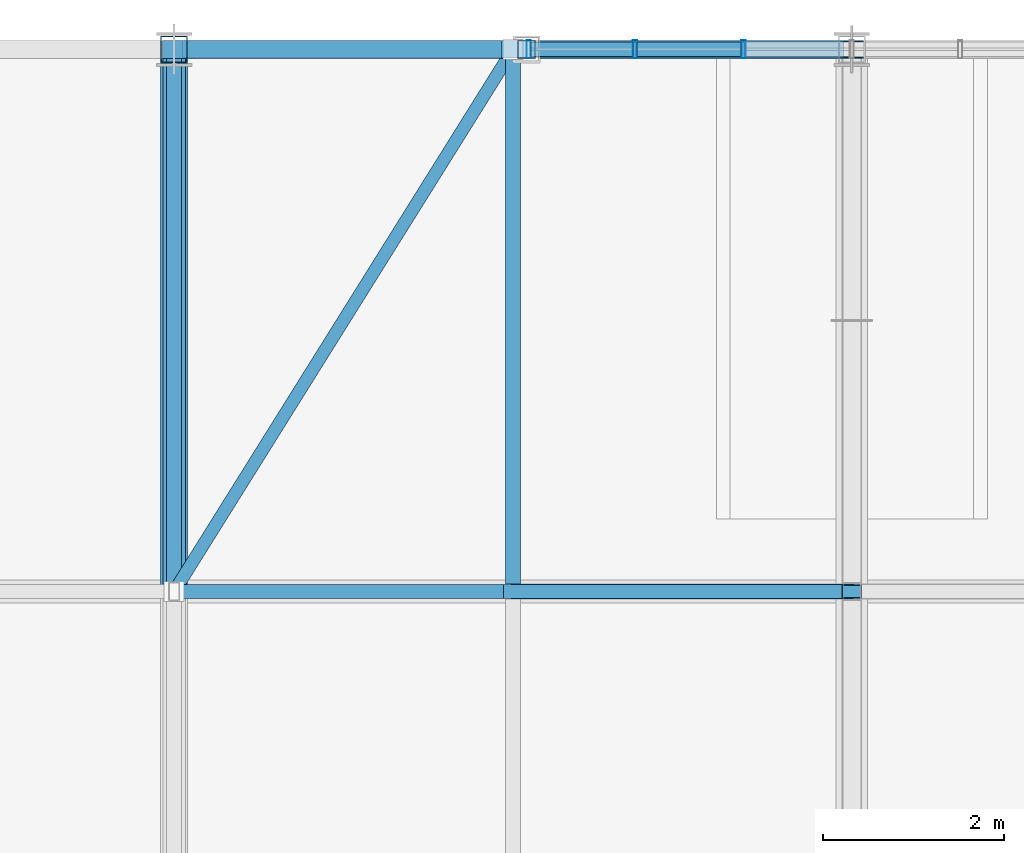
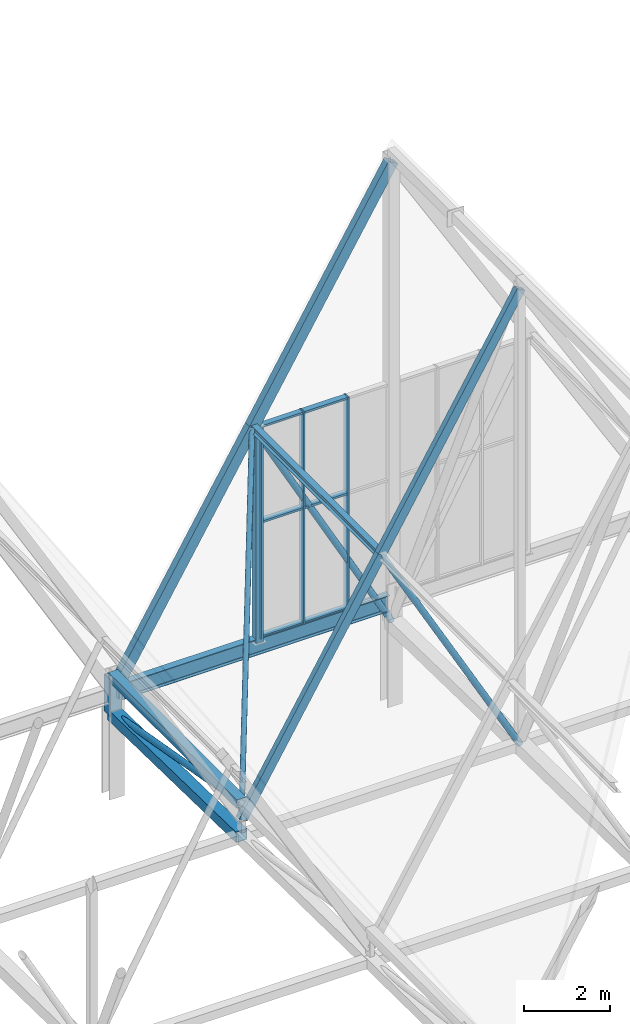
# One storey, part 165 of 324: 21 members, 2 beams, 1 element without a shape of its own.
"""IFC4 building model written with IfcOpenShell, lengths in metres."""

from ifc_helpers import new_model, si_unit, direction, frame, origin, origin_2d, place, context, subcontext, project, spatial, hollow_rectangle, hollow_circle, i_section, extrude, material, layer, layer_set, material_profile, profile_set, type_object, element, aggregate, save


model = new_model("IFC4")

# Units and contexts
model_context = context("Model", 3, precision=1e-05, world=origin(), true_north=direction((0.0, 1.0)))
body_context = subcontext(model_context, "Body", "Model", "MODEL_VIEW")
ifc_project = project(units=[si_unit("LENGTHUNIT", "METRE"), si_unit("AREAUNIT", "SQUARE_METRE"), si_unit("VOLUMEUNIT", "CUBIC_METRE"), si_unit("PLANEANGLEUNIT", "RADIAN"), si_unit("MASSUNIT", "GRAM", prefix="KILO")], contexts=[model_context])

# Site, building, storey
site_placement = place(None, origin())
site = spatial("IfcSite", under=ifc_project, at=site_placement, CompositionType="ELEMENT")
building_placement = place(site_placement, origin())
building = spatial("IfcBuilding", under=site, at=building_placement, Name="Solvenia Promenade Tram Depot", CompositionType="ELEMENT")
storey_placement = place(building_placement, frame((0.0, 0.0, 4.5)))
storey = spatial("IfcBuildingStorey", under=building, at=storey_placement, Name="L01", CompositionType="ELEMENT", Elevation=4.5)

# Curtain wall, members
ifc_material_1 = material(Name="Anodized aluminium AW-6063 T6", Category="aluminium")
ifc_layer = layer(ifc_material_1, 0.14990234375, Name="Anodized aluminium AW-6063 T6", Category="aluminium")
ifc_layer_set = layer_set([ifc_layer], Name="Anodized aluminium AW-6063 T6")
curtain_wall_type = type_object("IfcCurtainWallType", Name="CW-Gable-1200", PredefinedType="NOTDEFINED", material=ifc_layer_set)
curtain_wall_placement = place(storey_placement, origin())
curtain_wall = element("IfcCurtainWall", 1, at=curtain_wall_placement, inside=storey, type_object=curtain_wall_type, Name="North Zigzag Gable 08 Peak Glazing", PredefinedType="NOTDEFINED")
ifc_material_profile_1 = material_profile(ifc_material_1, hollow_rectangle(XDim=0.199951171875, YDim=0.048095703125, WallThickness=0.00390625, at=origin_2d()), Name="ALU-M3", Category="aluminium")
ifc_profile_set_1 = profile_set([ifc_material_profile_1], Name="Anodized aluminium AW-6063 T6")
member_type_1 = type_object("IfcMemberType", Name="CWM-Mullion-3", PredefinedType="MULLION", material=ifc_profile_set_1)
member_1_placement = place(storey_placement, frame((108.924072265625, 126.0, 3.10009765625), z_axis=(0.0, 0.0, 1.0), x_axis=(0.0, 1.0, 0.0)))
member_1 = element("IfcMember", 2, at=member_1_placement, type_object=member_type_1, Name="CW-3 mullion 1", PredefinedType="MULLION", context=body_context, shape_type="SweptSolid", body=[
    extrude(hollow_rectangle(XDim=0.199951171875, YDim=0.048095703125, WallThickness=0.00390625, at=origin_2d()), origin(), (0.0, 0.0, 1.0), 6.0498046875),
])
member_2_placement = place(storey_placement, frame((110.10009765625, 126.0, 3.10009765625), z_axis=(0.0, 0.0, 1.0), x_axis=(0.0, 1.0, 0.0)))
member_2 = element("IfcMember", 3, at=member_2_placement, type_object=member_type_1, Name="CW-3 mullion 2", PredefinedType="MULLION", context=body_context, shape_type="SweptSolid", body=[
    extrude(hollow_rectangle(XDim=0.199951171875, YDim=0.048095703125, WallThickness=0.00390625, at=origin_2d()), origin(), (0.0, 0.0, 1.0), 6.0498046875),
])
member_3_placement = place(storey_placement, frame((111.300048828125, 126.0, 3.10009765625), z_axis=(0.0, 0.0, 1.0), x_axis=(0.0, 1.0, 0.0)))
member_3 = element("IfcMember", 4, at=member_3_placement, type_object=member_type_1, Name="CW-3 mullion 3", PredefinedType="MULLION", context=body_context, shape_type="SweptSolid", body=[
    extrude(hollow_rectangle(XDim=0.199951171875, YDim=0.048095703125, WallThickness=0.00390625, at=origin_2d()), origin(), (0.0, 0.0, 1.0), 6.0498046875),
])
ifc_material_profile_2 = material_profile(ifc_material_1, hollow_rectangle(XDim=0.159912109375, YDim=0.05810546875, WallThickness=0.00390625, at=origin_2d()), Name="ALU-T3", Category="aluminium")
ifc_profile_set_2 = profile_set([ifc_material_profile_2], Name="Anodized aluminium AW-6063 T6")
member_type_2 = type_object("IfcMemberType", Name="CWT-Transom-3", PredefinedType="USERDEFINED", material=ifc_profile_set_2)
member_4_placement = place(storey_placement, frame((108.947998046875, 126.0, 3.12890625), z_axis=(1.0, 0.0, 0.0), x_axis=(0.0, 1.0, 0.0)))
member_4 = element("IfcMember", 5, at=member_4_placement, type_object=member_type_2, Name="CW-3 transom 1.1", ObjectType="TRANSOM", PredefinedType="USERDEFINED", context=body_context, shape_type="SweptSolid", body=[
    extrude(hollow_rectangle(XDim=0.159912109375, YDim=0.05810546875, WallThickness=0.00390625, at=origin_2d()), origin(), (0.0, 0.0, 1.0), 1.1279296875),
])
member_5_placement = place(storey_placement, frame((108.947998046875, 126.0, 6.39990234375), z_axis=(1.0, 0.0, 0.0), x_axis=(0.0, 1.0, 0.0)))
member_5 = element("IfcMember", 6, at=member_5_placement, type_object=member_type_2, Name="CW-3 transom 1.2", ObjectType="TRANSOM", PredefinedType="USERDEFINED", context=body_context, shape_type="SweptSolid", body=[
    extrude(hollow_rectangle(XDim=0.159912109375, YDim=0.05810546875, WallThickness=0.00390625, at=origin_2d()), origin(), (0.0, 0.0, 1.0), 1.1279296875),
])
member_6_placement = place(storey_placement, frame((108.947998046875, 126.0, 9.12109375), z_axis=(1.0, 0.0, 0.0), x_axis=(0.0, 1.0, 0.0)))
member_6 = element("IfcMember", 7, at=member_6_placement, type_object=member_type_2, Name="CW-3 transom 1.3", ObjectType="TRANSOM", PredefinedType="USERDEFINED", context=body_context, shape_type="SweptSolid", body=[
    extrude(hollow_rectangle(XDim=0.159912109375, YDim=0.05810546875, WallThickness=0.00390625, at=origin_2d()), origin(), (0.0, 0.0, 1.0), 1.1279296875),
])
member_7_placement = place(storey_placement, frame((110.1240234375, 126.0, 3.12890625), z_axis=(1.0, 0.0, 0.0), x_axis=(0.0, 1.0, 0.0)))
member_7 = element("IfcMember", 8, at=member_7_placement, type_object=member_type_2, Name="CW-3 transom 2.1", ObjectType="TRANSOM", PredefinedType="USERDEFINED", context=body_context, shape_type="SweptSolid", body=[
    extrude(hollow_rectangle(XDim=0.159912109375, YDim=0.05810546875, WallThickness=0.00390625, at=origin_2d()), origin(), (0.0, 0.0, 1.0), 1.15185546875),
])
member_8_placement = place(storey_placement, frame((110.1240234375, 126.0, 6.39990234375), z_axis=(1.0, 0.0, 0.0), x_axis=(0.0, 1.0, 0.0)))
member_8 = element("IfcMember", 9, at=member_8_placement, type_object=member_type_2, Name="CW-3 transom 2.2", ObjectType="TRANSOM", PredefinedType="USERDEFINED", context=body_context, shape_type="SweptSolid", body=[
    extrude(hollow_rectangle(XDim=0.159912109375, YDim=0.05810546875, WallThickness=0.00390625, at=origin_2d()), origin(), (0.0, 0.0, 1.0), 1.15185546875),
])
member_9_placement = place(storey_placement, frame((110.1240234375, 126.0, 9.12109375), z_axis=(1.0, 0.0, 0.0), x_axis=(0.0, 1.0, 0.0)))
member_9 = element("IfcMember", 10, at=member_9_placement, type_object=member_type_2, Name="CW-3 transom 2.3", ObjectType="TRANSOM", PredefinedType="USERDEFINED", context=body_context, shape_type="SweptSolid", body=[
    extrude(hollow_rectangle(XDim=0.159912109375, YDim=0.05810546875, WallThickness=0.00390625, at=origin_2d()), origin(), (0.0, 0.0, 1.0), 1.15185546875),
])
aggregate(curtain_wall, [member_1, member_2, member_3, member_4, member_5, member_6, member_7, member_8, member_9])

# Members
ifc_material_2 = material(Name="Structural steel ASTM A500 Gr. C", Category="steel")
ifc_material_profile_3 = material_profile(ifc_material_2, hollow_rectangle(XDim=0.14990234375, YDim=0.25, WallThickness=0.010009765625, at=origin_2d()), Name="HSS250x150x10", Category="steel")
ifc_profile_set_3 = profile_set([ifc_material_profile_3], Name="Structural steel ASTM A500 Gr. C")
member_type_3 = type_object("IfcMemberType", Name="Chord-HSS250x150x10", PredefinedType="CHORD", material=ifc_profile_set_3)
for number, where, z_axis, x_axis, name in (
    (11, (105.0, 120.0, 2.93017578125), (0.514584433357, 0.0, 0.857439712718), (0.0, 1.0, 0.0), "Zigzag Gable 08 West Lower Rafter"),
    (12, (108.75, 120.0, 9.1787109375), (0.514584433357, 0.0, 0.857439712718), (0.0, 1.0, 0.0), "Zigzag Gable 08 West Upper Rafter"),
):
    element("IfcMember", number, at=place(storey_placement, frame(where, z_axis=z_axis, x_axis=x_axis)), inside=storey, type_object=member_type_3, Name=name, PredefinedType="CHORD", context=body_context, shape_type="SweptSolid", body=[
        extrude(hollow_rectangle(XDim=0.14990234375, YDim=0.25, WallThickness=0.010009765625, at=origin_2d()), origin(), (0.0, 0.0, 1.0), 7.287353515625),
    ])
ifc_material_profile_4 = material_profile(ifc_material_2, hollow_rectangle(XDim=0.25, YDim=0.25, WallThickness=0.010009765625, at=origin_2d()), Name="HSS250x250x10", Category="steel")
ifc_profile_set_4 = profile_set([ifc_material_profile_4], Name="Structural steel ASTM A500 Gr. C")
member_type_4 = type_object("IfcMemberType", Name="Chord-HSS250x250x10", PredefinedType="CHORD", material=ifc_profile_set_4)
member_10_placement = place(storey_placement, frame((105.0, 120.0, 3.3798828125), z_axis=(0.0, 1.0, 0.0), x_axis=(-1.0, 0.0, 0.0)))
element("IfcMember", 13, at=member_10_placement, inside=storey, type_object=member_type_4, Name="Arched Truss T15 Upper Chord S10", PredefinedType="CHORD", context=body_context, shape_type="SweptSolid", body=[
    extrude(hollow_rectangle(XDim=0.25, YDim=0.25, WallThickness=0.010009765625, at=origin_2d()), origin(), (0.0, 0.0, 1.0), 6.0),
])
ifc_material_profile_5 = material_profile(ifc_material_2, hollow_rectangle(XDim=0.199951171875, YDim=0.300048828125, WallThickness=0.012451171875, at=origin_2d()), Name="HSS300x200x12.5", Category="steel")
ifc_profile_set_5 = profile_set([ifc_material_profile_5], Name="Structural steel ASTM A500 Gr. C")
member_type_5 = type_object("IfcMemberType", Name="Chord-HSS300x200x12", PredefinedType="CHORD", material=ifc_profile_set_5)
for number, where, z_axis, x_axis, name in (
    (14, (105.0, 126.0, 2.93017578125), (0.514584433357, 0.0, 0.857439712718), (0.0, 1.0, 0.0), "Zigzag Gable 08 West Lower Rafter"),
    (15, (108.75, 126.0, 9.1787109375), (0.514584433357, 0.0, 0.857439712718), (0.0, 1.0, 0.0), "Zigzag Gable 08 West Upper Rafter"),
):
    element("IfcMember", number, at=place(storey_placement, frame(where, z_axis=z_axis, x_axis=x_axis)), inside=storey, type_object=member_type_5, Name=name, PredefinedType="CHORD", context=body_context, shape_type="SweptSolid", body=[
        extrude(hollow_rectangle(XDim=0.199951171875, YDim=0.300048828125, WallThickness=0.012451171875, at=origin_2d()), origin(), (0.0, 0.0, 1.0), 7.287353515625),
    ])
ifc_material_profile_6 = material_profile(ifc_material_2, hollow_rectangle(XDim=0.300048828125, YDim=0.300048828125, WallThickness=0.012451171875, at=origin_2d()), Name="HSS300x300x12.5", Category="steel")
ifc_profile_set_6 = profile_set([ifc_material_profile_6], Name="Structural steel ASTM A500 Gr. C")
member_type_6 = type_object("IfcMemberType", Name="Chord-HSS300x300x12", PredefinedType="CHORD", material=ifc_profile_set_6)
member_11_placement = place(storey_placement, frame((105.0, 126.0, 2.320068359375), z_axis=(0.0, 0.0, 1.0), x_axis=(1.0, 0.0, 0.0)))
element("IfcMember", 16, at=member_11_placement, inside=storey, type_object=member_type_6, Name="Arched Truss T15 N End Post", PredefinedType="CHORD", context=body_context, shape_type="SweptSolid", body=[
    extrude(hollow_rectangle(XDim=0.300048828125, YDim=0.300048828125, WallThickness=0.012451171875, at=origin_2d()), origin(), (0.0, 0.0, 1.0), 1.059814453125),
])
member_12_placement = place(storey_placement, frame((105.0, 120.0, 2.446044921875), z_axis=(0.0, 0.999779654873, -0.020991467363), x_axis=(-1.0, 0.0, 0.0)))
element("IfcMember", 17, at=member_12_placement, inside=storey, type_object=member_type_6, Name="Arched Truss T15 Bottom Chord S10", PredefinedType="CHORD", context=body_context, shape_type="SweptSolid", body=[
    extrude(hollow_rectangle(XDim=0.300048828125, YDim=0.300048828125, WallThickness=0.012451171875, at=origin_2d()), origin(), (0.0, 0.0, 1.0), 6.001220703125),
])
ifc_material_profile_7 = material_profile(ifc_material_2, hollow_rectangle(XDim=0.199951171875, YDim=0.199951171875, WallThickness=0.010009765625, at=origin_2d()), Name="HSS200x200x10", Category="steel")
ifc_profile_set_7 = profile_set([ifc_material_profile_7], Name="Structural steel ASTM A500 Gr. C")
member_type_7 = type_object("IfcMemberType", Name="Post-HSS200x200x10", PredefinedType="POST", material=ifc_profile_set_7)
member_13_placement = place(storey_placement, frame((108.89990234375, 126.0, 3.0), z_axis=(0.0, 0.0, 1.0), x_axis=(1.0, 0.0, 0.0)))
element("IfcMember", 18, at=member_13_placement, inside=storey, type_object=member_type_7, Name="Gable Curtain-Wall Steel Jamb Post 029", PredefinedType="POST", context=body_context, shape_type="SweptSolid", body=[
    extrude(hollow_rectangle(XDim=0.199951171875, YDim=0.199951171875, WallThickness=0.010009765625, at=origin_2d()), origin(), (0.0, 0.0, 1.0), 6.14990234375),
])

# Beam
ifc_material_3 = material(Name="Structural steel ASTM A992 Gr. 50", Category="steel")
ifc_material_profile_8 = material_profile(ifc_material_3, i_section(OverallWidth=0.1650390625, OverallDepth=0.200927734375, WebThickness=0.006103515625, FlangeThickness=0.01025390625, FilletRadius=0.010009765625, at=origin_2d()), Name="W200x36", Category="steel")
ifc_profile_set_8 = profile_set([ifc_material_profile_8], Name="Structural steel ASTM A992 Gr. 50")
beam_type_1 = type_object("IfcBeamType", Name="Purlin-W200x36", PredefinedType="USERDEFINED", material=ifc_profile_set_8)
beam_1_placement = place(storey_placement, frame((108.75, 120.0849609375, 9.169677734375), z_axis=(0.0, 1.0, 0.0), x_axis=(-1.0, 0.0, 0.0)))
element("IfcBeam", 19, at=beam_1_placement, inside=storey, type_object=beam_type_1, Name="Gable Roof Purlin W-0159", ObjectType="PURLIN", PredefinedType="USERDEFINED", context=body_context, shape_type="SweptSolid", body=[
    extrude(i_section(OverallWidth=0.1650390625, OverallDepth=0.200927734375, WebThickness=0.006103515625, FlangeThickness=0.01025390625, FilletRadius=0.010009765625, at=origin_2d()), origin(), (0.0, 0.0, 1.0), 5.830078125),
])

# Member
ifc_material_profile_9 = material_profile(ifc_material_2, hollow_circle(Radius=0.06982421875, WallThickness=0.00634765625, at=origin_2d()), Name="CHS139.7x6.3", Category="steel")
ifc_profile_set_9 = profile_set([ifc_material_profile_9], Name="Structural steel ASTM A500 Gr. C")
member_type_8 = type_object("IfcMemberType", Name="RoofBrace-CHS140x6", PredefinedType="BRACE", material=ifc_profile_set_9)
member_14_placement = place(storey_placement, frame((105.0, 120.0, 2.93017578125), z_axis=(0.397261161555, 0.635617858488, 0.661946755783), x_axis=(-0.847998304005, 0.529998940003, 0.0)))
element("IfcMember", 20, at=member_14_placement, inside=storey, type_object=member_type_8, Name="Roof Plan Wind Brace 016", PredefinedType="BRACE", context=body_context, shape_type="SweptSolid", body=[
    extrude(hollow_circle(Radius=0.06982421875, WallThickness=0.00634765625, at=origin_2d()), origin(), (0.0, 0.0, 1.0), 9.439697265625),
])

# Beam
ifc_material_profile_10 = material_profile(ifc_material_3, i_section(OverallWidth=0.19091796875, OverallDepth=0.4599609375, WebThickness=0.010009765625, FlangeThickness=0.01611328125, FilletRadius=0.012939453125, at=origin_2d()), Name="W460x82", Category="steel")
ifc_profile_set_10 = profile_set([ifc_material_profile_10], Name="Structural steel ASTM A992 Gr. 50")
beam_type_2 = type_object("IfcBeamType", Name="Spandrel-W460x82", PredefinedType="SPANDREL", material=ifc_profile_set_10)
beam_2_placement = place(storey_placement, frame((105.0849609375, 126.0, 2.889892578125), z_axis=(1.0, 0.0, 0.0), x_axis=(0.0, 1.0, 0.0)))
element("IfcBeam", 21, at=beam_2_placement, inside=storey, type_object=beam_type_2, Name="North Shed Eave Girder BM-L01-0982", PredefinedType="SPANDREL", context=body_context, shape_type="SweptSolid", body=[
    extrude(i_section(OverallWidth=0.19091796875, OverallDepth=0.4599609375, WebThickness=0.010009765625, FlangeThickness=0.01611328125, FilletRadius=0.012939453125, at=origin_2d()), origin(), (0.0, 0.0, 1.0), 7.330078125),
])

# Members
ifc_material_profile_11 = material_profile(ifc_material_2, hollow_circle(Radius=0.084228515625, WallThickness=0.008056640625, at=origin_2d()), Name="CHS168.3x8", Category="steel")
ifc_profile_set_11 = profile_set([ifc_material_profile_11], Name="Structural steel ASTM A500 Gr. C")
member_type_9 = type_object("IfcMemberType", Name="WebDiag-CHS168x8", PredefinedType="BRACE", material=ifc_profile_set_11)
member_15_placement = place(storey_placement, frame((105.0, 126.0, 2.320068359375), z_axis=(0.0, -0.984755712458, 0.173943056143), x_axis=(1.0, 0.0, 0.0)))
element("IfcMember", 22, at=member_15_placement, inside=storey, type_object=member_type_9, Name="Arched Truss T15 Web Diagonal S10", PredefinedType="BRACE", context=body_context, shape_type="SweptSolid", body=[
    extrude(hollow_circle(Radius=0.084228515625, WallThickness=0.008056640625, at=origin_2d()), origin(), (0.0, 0.0, 1.0), 6.0927734375),
])
member_16_placement = place(storey_placement, frame((112.5, 120.0, 2.446044921875), z_axis=(-0.486597510161, 0.0, 0.873626271986), x_axis=(0.0, -1.0, 0.0)))
element("IfcMember", 23, at=member_16_placement, inside=storey, type_object=member_type_9, Name="Zigzag Gable 08 West Knee Strut", PredefinedType="BRACE", context=body_context, shape_type="SweptSolid", body=[
    extrude(hollow_circle(Radius=0.084228515625, WallThickness=0.008056640625, at=origin_2d()), origin(), (0.0, 0.0, 1.0), 7.70654296875),
])
member_17_placement = place(storey_placement, frame((112.5, 126.0, 2.320068359375), z_axis=(-0.479731573224, 0.0, 0.877415305116), x_axis=(0.0, -1.0, 0.0)))
element("IfcMember", 24, at=member_17_placement, inside=storey, type_object=member_type_9, Name="Zigzag Gable 08 West Knee Strut", PredefinedType="BRACE", context=body_context, shape_type="SweptSolid", body=[
    extrude(hollow_circle(Radius=0.084228515625, WallThickness=0.008056640625, at=origin_2d()), origin(), (0.0, 0.0, 1.0), 7.81689453125),
])

save(model, "model.ifc")
